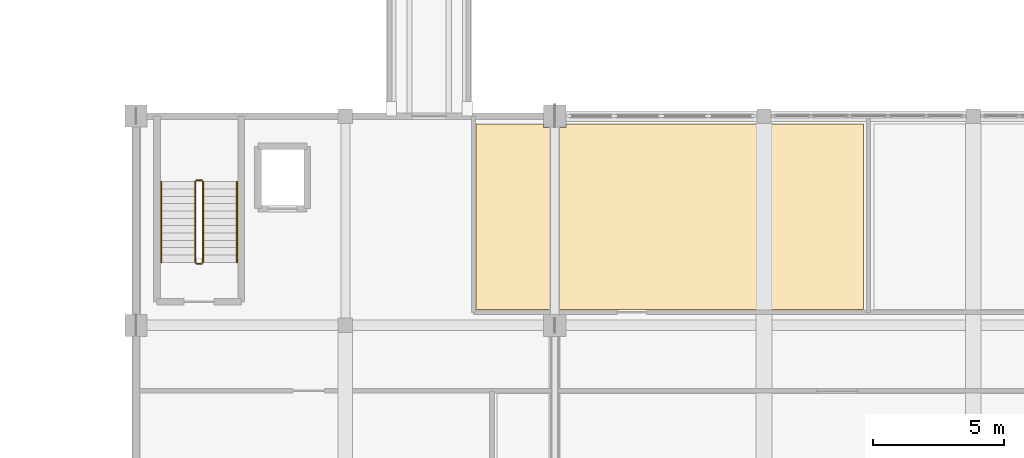
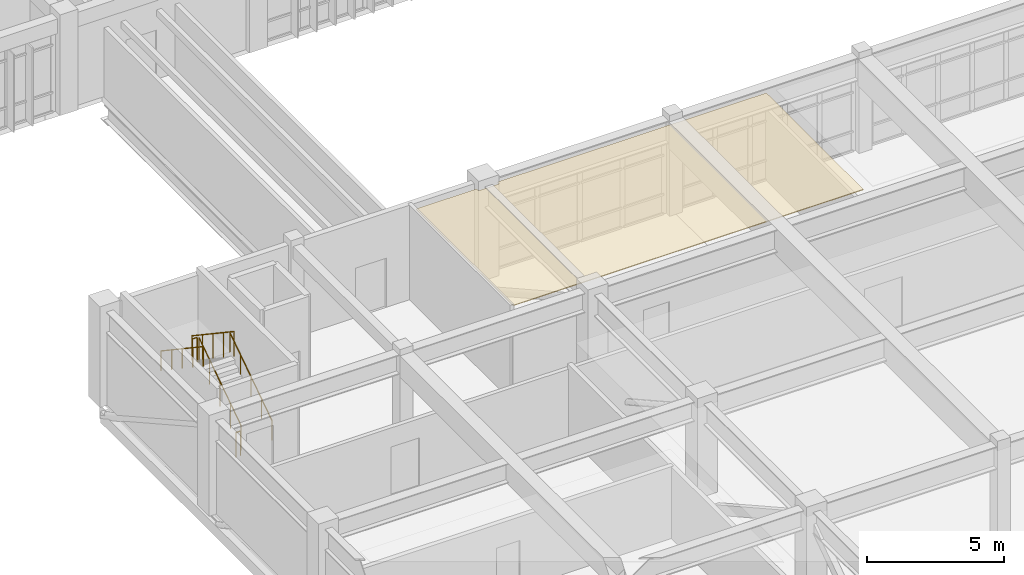
# One storey, part 68 of 79: 6 railings, 1 covering.
"""IFC4 building model written with IfcOpenShell, lengths in metres."""

from ifc_helpers import new_model, si_unit, direction, frame, origin, origin_2d, place, context, subcontext, project, spatial, polyline, circle, outline, extrude, material, layer, layer_set, type_object, element, save


model = new_model("IFC4")

# Units and contexts
model_context = context("Model", 3, precision=1e-05, world=origin(), true_north=direction((0.0, 1.0)))
body_context = subcontext(model_context, "Body", "Model", "MODEL_VIEW")
ifc_project = project(units=[si_unit("LENGTHUNIT", "METRE"), si_unit("AREAUNIT", "SQUARE_METRE"), si_unit("VOLUMEUNIT", "CUBIC_METRE"), si_unit("PLANEANGLEUNIT", "RADIAN"), si_unit("MASSUNIT", "GRAM", prefix="KILO")], contexts=[model_context])

# Site, building, storey
site_placement = place(None, origin())
site = spatial("IfcSite", under=ifc_project, at=site_placement, CompositionType="ELEMENT")
building_placement = place(site_placement, origin())
building = spatial("IfcBuilding", under=site, at=building_placement, Name="Tlaxcora Railside Police Headquarters", CompositionType="ELEMENT")
storey_placement = place(building_placement, frame((0.0, 0.0, 9.0)))
storey = spatial("IfcBuildingStorey", under=building, at=storey_placement, Name="L02", CompositionType="ELEMENT", Elevation=9.0)

# Covering
ifc_material_1 = material(Name="Mineral-fibre acoustic ceiling tile")
ifc_layer = layer(ifc_material_1, 0.034912109375, Name="Mineral-fibre acoustic ceiling tile")
ifc_layer_set = layer_set([ifc_layer], Name="Mineral-fibre acoustic ceiling tile")
covering_type = type_object("IfcCoveringType", Name="Acoustic Suspended Ceiling CLG-01", PredefinedType="CEILING", material=ifc_layer_set)
covering_placement = place(storey_placement, frame((0.0, 0.0, 4.06494140625)))
element("IfcCovering", 1, at=covering_placement, inside=storey, type_object=covering_type, Name="Gold Commander Situation Suite suspended ceiling", PredefinedType="CEILING", context=body_context, shape_type="SweptSolid", body=[
    extrude(outline(polyline([(73.800048828125, 59.699951171875), (62.43505859375, 59.699951171875), (62.43505859375, 59.56494140625), (61.56494140625, 59.56494140625), (61.56494140625, 59.699951171875), (59.0, 59.699951171875), (59.0, 52.60009765625), (73.800048828125, 52.60009765625), (73.800048828125, 59.699951171875)])), origin(), (0.0, 0.0, 1.0), 0.03515625),
])

# Railings
ifc_material_2 = material(Name="Steel ASTM A992 Grade 50", Category="steel")
railing_type_1 = type_object("IfcRailingType", Name="Stair Well Guard Balustrade GR-02", PredefinedType="BALUSTRADE", material=ifc_material_2)
railing_1_placement = place(storey_placement, frame((48.56005859375, 54.409912109375, 0.1875)))
element("IfcRailing", 2, at=railing_1_placement, inside=storey, type_object=railing_type_1, Name="L02 ST4 stair guard 1", PredefinedType="BALUSTRADE", context=body_context, shape_type="SweptSolid", body=[
    extrude(circle(Radius=0.02392578125, at=origin_2d()), frame((0.0, 0.0, 1.09619140625), z_axis=(0.0, 0.830913701846, 0.55640131208), x_axis=(-1.0, 0.0, 0.0)), (0.0, 0.0, 1.0), 3.706787109375),
    extrude(circle(Radius=0.02099609375, at=origin_2d()), origin(), (0.0, 0.0, 1.0), 1.072021484375),
    extrude(circle(Radius=0.02099609375, at=origin_2d()), frame((0.0, 0.77001953125, 0.515625)), (0.0, 0.0, 1.0), 1.072021484375),
    extrude(circle(Radius=0.02099609375, at=origin_2d()), frame((0.0, 1.5400390625, 1.03125)), (0.0, 0.0, 1.0), 1.072021484375),
    extrude(circle(Radius=0.02099609375, at=origin_2d()), frame((0.0, 2.31005859375, 1.546875)), (0.0, 0.0, 1.0), 1.072021484375),
    extrude(circle(Radius=0.02099609375, at=origin_2d()), frame((0.0, 3.080078125, 2.0625)), (0.0, 0.0, 1.0), 1.072021484375),
])
railing_2_placement = place(storey_placement, frame((48.510009765625, 57.5400390625, 2.25)))
element("IfcRailing", 3, at=railing_2_placement, inside=storey, type_object=railing_type_1, Name="L02 ST4 stair guard 2", PredefinedType="BALUSTRADE", context=body_context, shape_type="SweptSolid", body=[
    extrude(circle(Radius=0.02392578125, at=origin_2d()), frame((0.0, 0.0, 1.09619140625), z_axis=(-1.0, 0.0, 0.0), x_axis=(0.0, -1.0, 0.0)), (0.0, 0.0, 1.0), 0.199951171875),
    extrude(circle(Radius=0.02099609375, at=origin_2d()), origin(), (0.0, 0.0, 1.0), 1.072021484375),
    extrude(circle(Radius=0.02099609375, at=origin_2d()), frame((-0.199951171875, 0.0, 0.0)), (0.0, 0.0, 1.0), 1.072021484375),
])
railing_3_placement = place(storey_placement, frame((48.260009765625, 57.489990234375, 2.4375)))
element("IfcRailing", 4, at=railing_3_placement, inside=storey, type_object=railing_type_1, Name="L02 ST4 stair guard 3", PredefinedType="BALUSTRADE", context=body_context, shape_type="SweptSolid", body=[
    extrude(circle(Radius=0.02392578125, at=origin_2d()), frame((0.0, 0.0, 1.09619140625), z_axis=(0.0, -0.830913701846, 0.55640131208), x_axis=(1.0, 0.0, 0.0)), (0.0, 0.0, 1.0), 3.706787109375),
    extrude(circle(Radius=0.02099609375, at=origin_2d()), origin(), (0.0, 0.0, 1.0), 1.072021484375),
    extrude(circle(Radius=0.02099609375, at=origin_2d()), frame((0.0, -0.77001953125, 0.515625)), (0.0, 0.0, 1.0), 1.072021484375),
    extrude(circle(Radius=0.02099609375, at=origin_2d()), frame((0.0, -1.5400390625, 1.03125)), (0.0, 0.0, 1.0), 1.072021484375),
    extrude(circle(Radius=0.02099609375, at=origin_2d()), frame((0.0, -2.31005859375, 1.546875)), (0.0, 0.0, 1.0), 1.072021484375),
    extrude(circle(Radius=0.02099609375, at=origin_2d()), frame((0.0, -3.080078125, 2.0625)), (0.0, 0.0, 1.0), 1.072021484375),
])
railing_4_placement = place(storey_placement, frame((48.510009765625, 54.360107421875, 0.0)))
element("IfcRailing", 5, at=railing_4_placement, inside=storey, type_object=railing_type_1, Name="L02 ST4 stair guard 4", PredefinedType="BALUSTRADE", context=body_context, shape_type="SweptSolid", body=[
    extrude(circle(Radius=0.02392578125, at=origin_2d()), frame((0.0, 0.0, 1.09619140625), z_axis=(-1.0, 0.0, 0.0), x_axis=(0.0, -1.0, 0.0)), (0.0, 0.0, 1.0), 0.199951171875),
    extrude(circle(Radius=0.02099609375, at=origin_2d()), origin(), (0.0, 0.0, 1.0), 1.072021484375),
    extrude(circle(Radius=0.02099609375, at=origin_2d()), frame((-0.199951171875, 0.0, 0.0)), (0.0, 0.0, 1.0), 1.072021484375),
])
railing_type_2 = type_object("IfcRailingType", Name="Stair and Ramp Handrail HR-01", PredefinedType="HANDRAIL", material=ifc_material_2)
railing_5_placement = place(storey_placement, frame((49.860107421875, 54.409912109375, 0.1875)))
element("IfcRailing", 6, at=railing_5_placement, inside=storey, type_object=railing_type_2, Name="L02 ST4 stair handrail 1", PredefinedType="HANDRAIL", context=body_context, shape_type="SweptSolid", body=[
    extrude(circle(Radius=0.02392578125, at=origin_2d()), frame((0.0, 0.0, 0.8759765625), z_axis=(0.0, 0.830913701846, 0.55640131208), x_axis=(-1.0, 0.0, 0.0)), (0.0, 0.0, 1.0), 3.706787109375),
    extrude(circle(Radius=0.02099609375, at=origin_2d()), origin(), (0.0, 0.0, 1.0), 0.851806640625),
    extrude(circle(Radius=0.02099609375, at=origin_2d()), frame((0.0, 0.77001953125, 0.515625)), (0.0, 0.0, 1.0), 0.851806640625),
    extrude(circle(Radius=0.02099609375, at=origin_2d()), frame((0.0, 1.5400390625, 1.03125)), (0.0, 0.0, 1.0), 0.851806640625),
    extrude(circle(Radius=0.02099609375, at=origin_2d()), frame((0.0, 2.31005859375, 1.546875)), (0.0, 0.0, 1.0), 0.851806640625),
    extrude(circle(Radius=0.02099609375, at=origin_2d()), frame((0.0, 3.080078125, 2.0625)), (0.0, 0.0, 1.0), 0.851806640625),
])
railing_6_placement = place(storey_placement, frame((46.9599609375, 57.489990234375, 2.4375)))
element("IfcRailing", 7, at=railing_6_placement, inside=storey, type_object=railing_type_2, Name="L02 ST4 stair handrail 2", PredefinedType="HANDRAIL", context=body_context, shape_type="SweptSolid", body=[
    extrude(circle(Radius=0.02392578125, at=origin_2d()), frame((0.0, 0.0, 0.8759765625), z_axis=(0.0, -0.830913701846, 0.55640131208), x_axis=(1.0, 0.0, 0.0)), (0.0, 0.0, 1.0), 3.706787109375),
    extrude(circle(Radius=0.02099609375, at=origin_2d()), origin(), (0.0, 0.0, 1.0), 0.851806640625),
    extrude(circle(Radius=0.02099609375, at=origin_2d()), frame((0.0, -0.77001953125, 0.515625)), (0.0, 0.0, 1.0), 0.851806640625),
    extrude(circle(Radius=0.02099609375, at=origin_2d()), frame((0.0, -1.5400390625, 1.03125)), (0.0, 0.0, 1.0), 0.851806640625),
    extrude(circle(Radius=0.02099609375, at=origin_2d()), frame((0.0, -2.31005859375, 1.546875)), (0.0, 0.0, 1.0), 0.851806640625),
    extrude(circle(Radius=0.02099609375, at=origin_2d()), frame((0.0, -3.080078125, 2.0625)), (0.0, 0.0, 1.0), 0.851806640625),
])

save(model, "model.ifc")
